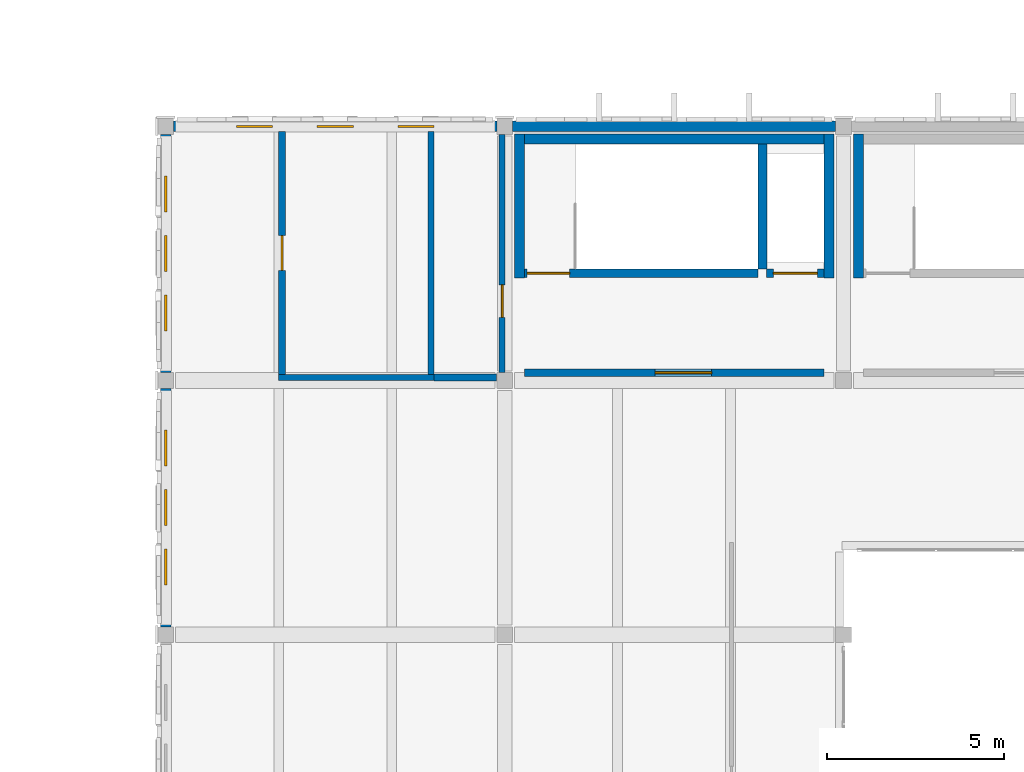
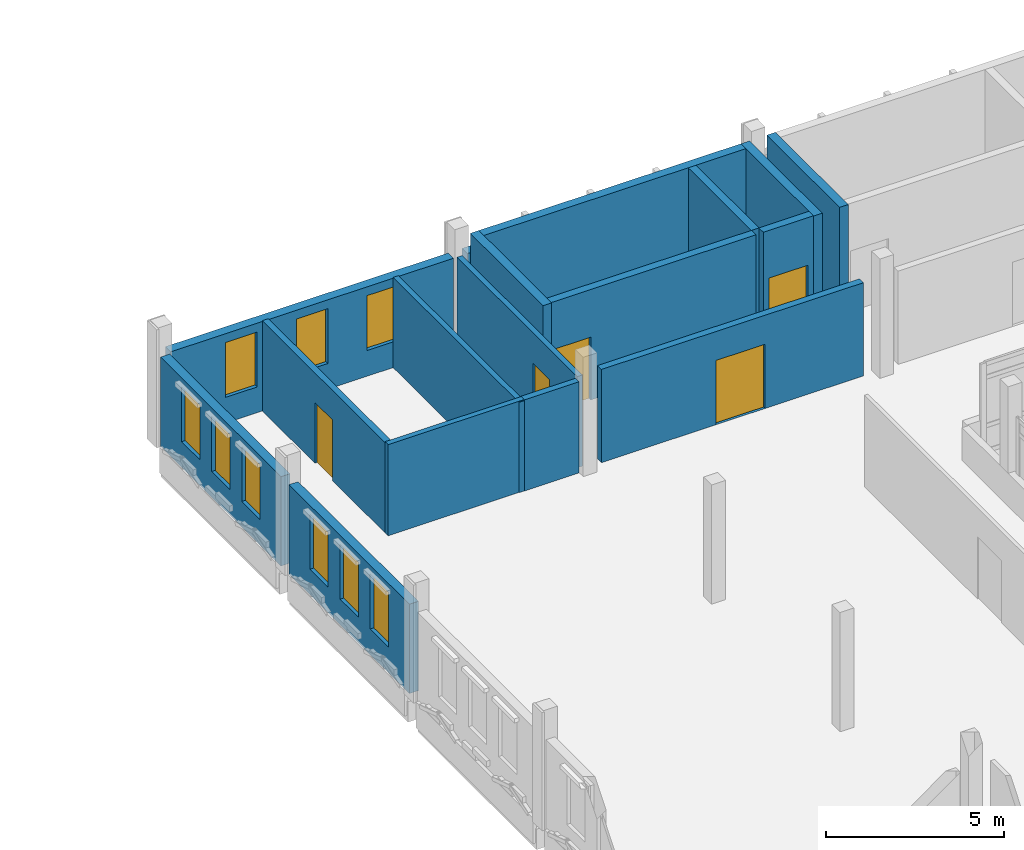
# One storey, part 36 of 50: 17 walls, 9 windows, 5 doors, 14 openings.
"""IFC4 building model written with IfcOpenShell, lengths in metres."""

from ifc_helpers import new_model, si_unit, direction, frame, frame_2d, origin, place, context, subcontext, project, spatial, rectangle, extrude, material, layer, layer_set, type_object, element, fill, save


model = new_model("IFC4")

# Units and contexts
model_context = context("Model", 3, precision=1e-05, world=origin(), true_north=direction((0.0, 1.0)))
body_context = subcontext(model_context, "Body", "Model", "MODEL_VIEW")
ifc_project = project(units=[si_unit("LENGTHUNIT", "METRE"), si_unit("AREAUNIT", "SQUARE_METRE"), si_unit("VOLUMEUNIT", "CUBIC_METRE"), si_unit("PLANEANGLEUNIT", "RADIAN"), si_unit("MASSUNIT", "GRAM", prefix="KILO")], contexts=[model_context])

# Site, building, storey
site_placement = place(None, origin())
site = spatial("IfcSite", under=ifc_project, at=site_placement, CompositionType="ELEMENT")
building_placement = place(site_placement, origin())
building = spatial("IfcBuilding", under=site, at=building_placement, Name="Asteropetra Specialist Clinic", CompositionType="ELEMENT")
storey_placement = place(building_placement, frame((0.0, 0.0, 16.659912109375)))
storey = spatial("IfcBuildingStorey", under=building, at=storey_placement, Name="L04", CompositionType="ELEMENT", Elevation=16.659912109375)

# Wall, openings, windows
ifc_material_1 = material(Name="Chevron sage", Category="masonry")
ifc_layer_1 = layer(ifc_material_1, 0.294921875)
ifc_layer_set_1 = layer_set([ifc_layer_1], Name="Chevron sage")
wall_type_1 = type_object("IfcWallType", Name="EW-CHEV-AEG-295", PredefinedType="SOLIDWALL", material=ifc_layer_set_1)
wall_1_placement = place(storey_placement, frame((114.97509765625, 48.0, 0.0), z_axis=(0.0, 0.0, 1.0), x_axis=(-1.0, 0.0, 0.0)))
wall_1 = element("IfcWall", 1, at=wall_1_placement, inside=storey, type_object=wall_type_1, Name="Exterior Wall EW-0280", PredefinedType="SOLIDWALL", context=body_context, shape_type="SweptSolid", body=[
    extrude(rectangle(XDim=9.150146484375, YDim=0.294921875, at=frame_2d((4.5751953125, 0.0))), origin(), (0.0, 0.0, 1.0), 3.06005859375),
])
opening_1_placement = place(wall_1_placement, frame((1.777587890625, 0.0, 0.8798828125)))
opening_1 = element("IfcOpeningElement", 2, at=opening_1_placement, cuts=wall_1, Name="Opening W-0167", PredefinedType="OPENING", context=body_context, shape_type="SweptSolid", body=[
    extrude(rectangle(XDim=1.02001953125, YDim=1.8798828125, at=frame_2d((0.510009765625, 0.93994140625))), frame((0.0, 0.157470703125, 0.0), z_axis=(0.0, -1.0, 0.0), x_axis=(1.0, 0.0, 0.0)), (0.0, 0.0, 1.0), 0.31494140625),
])
opening_2_placement = place(wall_1_placement, frame((4.06494140625, 0.0, 0.8798828125)))
opening_2 = element("IfcOpeningElement", 3, at=opening_2_placement, cuts=wall_1, Name="Opening W-0168", PredefinedType="OPENING", context=body_context, shape_type="SweptSolid", body=[
    extrude(rectangle(XDim=1.02001953125, YDim=1.8798828125, at=frame_2d((0.510009765625, 0.93994140625))), frame((0.0, 0.157470703125, 0.0), z_axis=(0.0, -1.0, 0.0), x_axis=(1.0, 0.0, 0.0)), (0.0, 0.0, 1.0), 0.31494140625),
])
opening_3_placement = place(wall_1_placement, frame((6.3525390625, 0.0, 0.8798828125)))
opening_3 = element("IfcOpeningElement", 4, at=opening_3_placement, cuts=wall_1, Name="Opening W-0169", PredefinedType="OPENING", context=body_context, shape_type="SweptSolid", body=[
    extrude(rectangle(XDim=1.02001953125, YDim=1.8798828125, at=frame_2d((0.510009765625, 0.93994140625))), frame((0.0, 0.157470703125, 0.0), z_axis=(0.0, -1.0, 0.0), x_axis=(1.0, 0.0, 0.0)), (0.0, 0.0, 1.0), 0.31494140625),
])
ifc_material_2 = material(Name="Thermally broken bronze aluminium and low-E glass", Category="aluminium")
window_type = type_object("IfcWindowType", Name="WIN-T31", PartitioningType="SINGLE_PANEL", PredefinedType="WINDOW", material=ifc_material_2)
window_1_placement = place(opening_1_placement, origin())
window_1 = element("IfcWindow", 5, at=window_1_placement, inside=storey, type_object=window_type, Name="Window W-0167", OverallHeight=1.8798828125, OverallWidth=1.02001953125, PartitioningType="SINGLE_PANEL", PredefinedType="WINDOW", context=body_context, shape_type="SweptSolid", body=[
    extrude(rectangle(XDim=1.02001953125, YDim=1.8798828125, at=frame_2d((0.510009765625, 0.93994140625))), frame((0.0, 0.030029296875, 0.0), z_axis=(0.0, -1.0, 0.0), x_axis=(1.0, 0.0, 0.0)), (0.0, 0.0, 1.0), 0.06005859375),
])
fill(opening_1, window_1)
window_2_placement = place(opening_2_placement, origin())
window_2 = element("IfcWindow", 6, at=window_2_placement, inside=storey, type_object=window_type, Name="Window W-0168", OverallHeight=1.8798828125, OverallWidth=1.02001953125, PartitioningType="SINGLE_PANEL", PredefinedType="WINDOW", context=body_context, shape_type="SweptSolid", body=[
    extrude(rectangle(XDim=1.02001953125, YDim=1.8798828125, at=frame_2d((0.510009765625, 0.93994140625))), frame((0.0, 0.030029296875, 0.0), z_axis=(0.0, -1.0, 0.0), x_axis=(1.0, 0.0, 0.0)), (0.0, 0.0, 1.0), 0.06005859375),
])
fill(opening_2, window_2)
window_3_placement = place(opening_3_placement, origin())
window_3 = element("IfcWindow", 7, at=window_3_placement, inside=storey, type_object=window_type, Name="Window W-0169", OverallHeight=1.8798828125, OverallWidth=1.02001953125, PartitioningType="SINGLE_PANEL", PredefinedType="WINDOW", context=body_context, shape_type="SweptSolid", body=[
    extrude(rectangle(XDim=1.02001953125, YDim=1.8798828125, at=frame_2d((0.510009765625, 0.93994140625))), frame((0.0, 0.030029296875, 0.0), z_axis=(0.0, -1.0, 0.0), x_axis=(1.0, 0.0, 0.0)), (0.0, 0.0, 1.0), 0.06005859375),
])
fill(opening_3, window_3)

# Wall
wall_2_placement = place(storey_placement, frame((124.574951171875, 48.0, 0.0), z_axis=(0.0, 0.0, 1.0), x_axis=(-1.0, 0.0, 0.0)))
element("IfcWall", 8, at=wall_2_placement, inside=storey, type_object=wall_type_1, Name="Exterior Wall EW-0282", PredefinedType="SOLIDWALL", context=body_context, shape_type="SweptSolid", body=[
    extrude(rectangle(XDim=9.14990234375, YDim=0.294921875, at=frame_2d((4.574951171875, 0.0))), origin(), (0.0, 0.0, 1.0), 3.06005859375),
])

# Wall, openings, windows
wall_3_placement = place(storey_placement, frame((105.60009765625, 40.574951171875, 0.0), z_axis=(0.0, 0.0, 1.0), x_axis=(0.0, -1.0, 0.0)))
wall_3 = element("IfcWall", 9, at=wall_3_placement, inside=storey, type_object=wall_type_1, Name="Exterior Wall EW-0293", PredefinedType="SOLIDWALL", context=body_context, shape_type="SweptSolid", body=[
    extrude(rectangle(XDim=6.75, YDim=0.294921875, at=frame_2d((3.375, 0.0))), origin(), (0.0, 0.0, 1.0), 3.06005859375),
])
opening_4_placement = place(wall_3_placement, frame((1.177490234375, 0.0, 0.8798828125)))
opening_4 = element("IfcOpeningElement", 10, at=opening_4_placement, cuts=wall_3, Name="Opening W-0193", PredefinedType="OPENING", context=body_context, shape_type="SweptSolid", body=[
    extrude(rectangle(XDim=1.02001953125, YDim=1.8798828125, at=frame_2d((0.510009765625, 0.93994140625))), frame((0.0, 0.157470703125, 0.0), z_axis=(0.0, -1.0, 0.0), x_axis=(1.0, 0.0, 0.0)), (0.0, 0.0, 1.0), 0.31494140625),
])
opening_5_placement = place(wall_3_placement, frame((2.864990234375, 0.0, 0.8798828125)))
opening_5 = element("IfcOpeningElement", 11, at=opening_5_placement, cuts=wall_3, Name="Opening W-0194", PredefinedType="OPENING", context=body_context, shape_type="SweptSolid", body=[
    extrude(rectangle(XDim=1.02001953125, YDim=1.8798828125, at=frame_2d((0.510009765625, 0.93994140625))), frame((0.0, 0.157470703125, 0.0), z_axis=(0.0, -1.0, 0.0), x_axis=(1.0, 0.0, 0.0)), (0.0, 0.0, 1.0), 0.31494140625),
])
opening_6_placement = place(wall_3_placement, frame((4.552490234375, 0.0, 0.8798828125)))
opening_6 = element("IfcOpeningElement", 12, at=opening_6_placement, cuts=wall_3, Name="Opening W-0195", PredefinedType="OPENING", context=body_context, shape_type="SweptSolid", body=[
    extrude(rectangle(XDim=1.02001953125, YDim=1.8798828125, at=frame_2d((0.510009765625, 0.93994140625))), frame((0.0, 0.157470703125, 0.0), z_axis=(0.0, -1.0, 0.0), x_axis=(1.0, 0.0, 0.0)), (0.0, 0.0, 1.0), 0.31494140625),
])
window_4_placement = place(opening_4_placement, origin())
window_4 = element("IfcWindow", 13, at=window_4_placement, inside=storey, type_object=window_type, Name="Window W-0193", OverallHeight=1.8798828125, OverallWidth=1.02001953125, PartitioningType="SINGLE_PANEL", PredefinedType="WINDOW", context=body_context, shape_type="SweptSolid", body=[
    extrude(rectangle(XDim=1.02001953125, YDim=1.8798828125, at=frame_2d((0.510009765625, 0.93994140625))), frame((0.0, 0.030029296875, 0.0), z_axis=(0.0, -1.0, 0.0), x_axis=(1.0, 0.0, 0.0)), (0.0, 0.0, 1.0), 0.06005859375),
])
fill(opening_4, window_4)
window_5_placement = place(opening_5_placement, origin())
window_5 = element("IfcWindow", 14, at=window_5_placement, inside=storey, type_object=window_type, Name="Window W-0194", OverallHeight=1.8798828125, OverallWidth=1.02001953125, PartitioningType="SINGLE_PANEL", PredefinedType="WINDOW", context=body_context, shape_type="SweptSolid", body=[
    extrude(rectangle(XDim=1.02001953125, YDim=1.8798828125, at=frame_2d((0.510009765625, 0.93994140625))), frame((0.0, 0.030029296875, 0.0), z_axis=(0.0, -1.0, 0.0), x_axis=(1.0, 0.0, 0.0)), (0.0, 0.0, 1.0), 0.06005859375),
])
fill(opening_5, window_5)
window_6_placement = place(opening_6_placement, origin())
window_6 = element("IfcWindow", 15, at=window_6_placement, inside=storey, type_object=window_type, Name="Window W-0195", OverallHeight=1.8798828125, OverallWidth=1.02001953125, PartitioningType="SINGLE_PANEL", PredefinedType="WINDOW", context=body_context, shape_type="SweptSolid", body=[
    extrude(rectangle(XDim=1.02001953125, YDim=1.8798828125, at=frame_2d((0.510009765625, 0.93994140625))), frame((0.0, 0.030029296875, 0.0), z_axis=(0.0, -1.0, 0.0), x_axis=(1.0, 0.0, 0.0)), (0.0, 0.0, 1.0), 0.06005859375),
])
fill(opening_6, window_6)

wall_4_placement = place(storey_placement, frame((105.60009765625, 47.77490234375, 0.0), z_axis=(0.0, 0.0, 1.0), x_axis=(0.0, -1.0, 0.0)))
wall_4 = element("IfcWall", 16, at=wall_4_placement, inside=storey, type_object=wall_type_1, Name="Exterior Wall EW-0294", PredefinedType="SOLIDWALL", context=body_context, shape_type="SweptSolid", body=[
    extrude(rectangle(XDim=6.75, YDim=0.294921875, at=frame_2d((3.375, 0.0))), origin(), (0.0, 0.0, 1.0), 3.06005859375),
])
opening_7_placement = place(wall_4_placement, frame((1.177490234375, 0.0, 0.8798828125)))
opening_7 = element("IfcOpeningElement", 17, at=opening_7_placement, cuts=wall_4, Name="Opening W-0196", PredefinedType="OPENING", context=body_context, shape_type="SweptSolid", body=[
    extrude(rectangle(XDim=1.02001953125, YDim=1.8798828125, at=frame_2d((0.510009765625, 0.93994140625))), frame((0.0, 0.157470703125, 0.0), z_axis=(0.0, -1.0, 0.0), x_axis=(1.0, 0.0, 0.0)), (0.0, 0.0, 1.0), 0.31494140625),
])
opening_8_placement = place(wall_4_placement, frame((2.864990234375, 0.0, 0.8798828125)))
opening_8 = element("IfcOpeningElement", 18, at=opening_8_placement, cuts=wall_4, Name="Opening W-0197", PredefinedType="OPENING", context=body_context, shape_type="SweptSolid", body=[
    extrude(rectangle(XDim=1.02001953125, YDim=1.8798828125, at=frame_2d((0.510009765625, 0.93994140625))), frame((0.0, 0.157470703125, 0.0), z_axis=(0.0, -1.0, 0.0), x_axis=(1.0, 0.0, 0.0)), (0.0, 0.0, 1.0), 0.31494140625),
])
opening_9_placement = place(wall_4_placement, frame((4.552490234375, 0.0, 0.8798828125)))
opening_9 = element("IfcOpeningElement", 19, at=opening_9_placement, cuts=wall_4, Name="Opening W-0198", PredefinedType="OPENING", context=body_context, shape_type="SweptSolid", body=[
    extrude(rectangle(XDim=1.02001953125, YDim=1.8798828125, at=frame_2d((0.510009765625, 0.93994140625))), frame((0.0, 0.157470703125, 0.0), z_axis=(0.0, -1.0, 0.0), x_axis=(1.0, 0.0, 0.0)), (0.0, 0.0, 1.0), 0.31494140625),
])
window_7_placement = place(opening_7_placement, origin())
window_7 = element("IfcWindow", 20, at=window_7_placement, inside=storey, type_object=window_type, Name="Window W-0196", OverallHeight=1.8798828125, OverallWidth=1.02001953125, PartitioningType="SINGLE_PANEL", PredefinedType="WINDOW", context=body_context, shape_type="SweptSolid", body=[
    extrude(rectangle(XDim=1.02001953125, YDim=1.8798828125, at=frame_2d((0.510009765625, 0.93994140625))), frame((0.0, 0.030029296875, 0.0), z_axis=(0.0, -1.0, 0.0), x_axis=(1.0, 0.0, 0.0)), (0.0, 0.0, 1.0), 0.06005859375),
])
fill(opening_7, window_7)
window_8_placement = place(opening_8_placement, origin())
window_8 = element("IfcWindow", 21, at=window_8_placement, inside=storey, type_object=window_type, Name="Window W-0197", OverallHeight=1.8798828125, OverallWidth=1.02001953125, PartitioningType="SINGLE_PANEL", PredefinedType="WINDOW", context=body_context, shape_type="SweptSolid", body=[
    extrude(rectangle(XDim=1.02001953125, YDim=1.8798828125, at=frame_2d((0.510009765625, 0.93994140625))), frame((0.0, 0.030029296875, 0.0), z_axis=(0.0, -1.0, 0.0), x_axis=(1.0, 0.0, 0.0)), (0.0, 0.0, 1.0), 0.06005859375),
])
fill(opening_8, window_8)
window_9_placement = place(opening_9_placement, origin())
window_9 = element("IfcWindow", 22, at=window_9_placement, inside=storey, type_object=window_type, Name="Window W-0198", OverallHeight=1.8798828125, OverallWidth=1.02001953125, PartitioningType="SINGLE_PANEL", PredefinedType="WINDOW", context=body_context, shape_type="SweptSolid", body=[
    extrude(rectangle(XDim=1.02001953125, YDim=1.8798828125, at=frame_2d((0.510009765625, 0.93994140625))), frame((0.0, 0.030029296875, 0.0), z_axis=(0.0, -1.0, 0.0), x_axis=(1.0, 0.0, 0.0)), (0.0, 0.0, 1.0), 0.06005859375),
])
fill(opening_9, window_9)

# Wall, opening, door
ifc_material_3 = material(Name="Fire-rated masonry and gypsum", Category="masonry")
ifc_layer_2 = layer(ifc_material_3, 0.219970703125)
ifc_layer_set_2 = layer_set([ifc_layer_2], Name="Fire-rated masonry and gypsum")
wall_type_2 = type_object("IfcWallType", Name="W-COMP-220", PredefinedType="PARTITIONING", material=ifc_layer_set_2)
wall_5_placement = place(storey_placement, frame((115.760009765625, 41.02001953125, 0.0), z_axis=(0.0, 0.0, 1.0), x_axis=(1.0, 0.0, 0.0)))
wall_5 = element("IfcWall", 23, at=wall_5_placement, inside=storey, type_object=wall_type_2, Name="Core Wall CW-C10-L04-LOB", PredefinedType="PARTITIONING", context=body_context, shape_type="SweptSolid", body=[
    extrude(rectangle(XDim=8.47998046875, YDim=0.219970703125, at=frame_2d((4.239990234375, 0.0))), origin(), (0.0, 0.0, 1.0), 3.190185546875),
])
opening_10_placement = place(wall_5_placement, frame((3.699951171875, 0.0, 0.0)))
opening_10 = element("IfcOpeningElement", 24, at=opening_10_placement, cuts=wall_5, Name="Opening FD-094", PredefinedType="OPENING", context=body_context, shape_type="SweptSolid", body=[
    extrude(rectangle(XDim=1.60009765625, YDim=2.199951171875, at=frame_2d((0.800048828125, 1.10009765625))), frame((0.0, 0.119873046875, 0.0), z_axis=(0.0, -1.0, 0.0), x_axis=(1.0, 0.0, 0.0)), (0.0, 0.0, 1.0), 0.239990234375),
])
ifc_material_4 = material(Name="Fire-rated steel and vision glass door", Category="steel")
door_type_1 = type_object("IfcDoorType", Name="FD-LOBBY-1600", OperationType="DOUBLE_DOOR_SINGLE_SWING", PredefinedType="DOOR", material=ifc_material_4)
door_1_placement = place(opening_10_placement, origin())
door_1 = element("IfcDoor", 25, at=door_1_placement, inside=storey, type_object=door_type_1, Name="Lobby Fire Door FD-094", OperationType="DOUBLE_DOOR_SINGLE_SWING", OverallHeight=2.199951171875, OverallWidth=1.60009765625, PredefinedType="DOOR", context=body_context, shape_type="SweptSolid", body=[
    extrude(rectangle(XDim=1.60009765625, YDim=2.199951171875, at=frame_2d((0.800048828125, 1.10009765625))), frame((0.0, 0.02490234375, 0.0), z_axis=(0.0, -1.0, 0.0), x_axis=(1.0, 0.0, 0.0)), (0.0, 0.0, 1.0), 0.050048828125),
])
fill(opening_10, door_1)

# Walls
ifc_material_5 = material(Name="Concrete C35/45", Category="concrete")
ifc_layer_3 = layer(ifc_material_5, 0.280029296875)
ifc_layer_set_3 = layer_set([ifc_layer_3], Name="Concrete C35/45")
wall_type_3 = type_object("IfcWallType", Name="W-CORE-280", PredefinedType="SHEAR", material=ifc_layer_set_3)
for number, where, z_axis, x_axis, name in (
    (26, (125.219970703125, 43.699951171875, 0.0), (0.0, 0.0, 1.0), (0.0, 1.0, 0.0), "Core Wall CW-C9-L04-W"),
    (27, (115.6201171875, 43.699951171875, 0.0), (0.0, 0.0, 1.0), (0.0, 1.0, 0.0), "Core Wall CW-C10-L04-W"),
    (28, (124.3798828125, 43.699951171875, 0.0), (0.0, 0.0, 1.0), (0.0, 1.0, 0.0), "Core Wall CW-C10-L04-E"),
):
    element("IfcWall", number, at=place(storey_placement, frame(where, z_axis=z_axis, x_axis=x_axis)), inside=storey, type_object=wall_type_3, Name=name, PredefinedType="SHEAR", context=body_context, shape_type="SweptSolid", body=[
        extrude(rectangle(XDim=4.080078125, YDim=0.280029296875, at=frame_2d((2.0400390625, 0.0))), origin(), (0.0, 0.0, 1.0), 3.780029296875),
    ])
wall_6_placement = place(storey_placement, frame((115.7548828125, 47.639892578125, 0.0), z_axis=(0.0, 0.0, 1.0), x_axis=(1.0, 0.0, 0.0)))
element("IfcWall", 29, at=wall_6_placement, inside=storey, type_object=wall_type_3, Name="Core Wall CW-C10-L04-BACK", PredefinedType="SHEAR", context=body_context, shape_type="SweptSolid", body=[
    extrude(rectangle(XDim=8.490234375, YDim=0.280029296875, at=frame_2d((4.2451171875, 0.0))), origin(), (0.0, 0.0, 1.0), 3.780029296875),
])
ifc_material_6 = material(Name="En-suite plumbing wall", Category="masonry")
ifc_layer_4 = layer(ifc_material_6, 0.169921875)
ifc_layer_set_4 = layer_set([ifc_layer_4], Name="En-suite plumbing wall")
wall_type_4 = type_object("IfcWallType", Name="W-PLUMB-170", PredefinedType="PLUMBINGWALL", material=ifc_layer_set_4)
wall_7_placement = place(storey_placement, frame((108.794921875, 40.889892578125, 0.0), z_axis=(0.0, 0.0, 1.0), x_axis=(1.0, 0.0, 0.0)))
element("IfcWall", 30, at=wall_7_placement, inside=storey, type_object=wall_type_4, Name="Interior Partition PW-0165", PredefinedType="PLUMBINGWALL", context=body_context, shape_type="SweptSolid", body=[
    extrude(rectangle(XDim=4.41015625, YDim=0.169921875, at=frame_2d((2.205078125, 0.0))), origin(), (0.0, 0.0, 1.0), 3.1201171875),
])
wall_8_placement = place(storey_placement, frame((113.110107421875, 40.794921875, 0.0), z_axis=(0.0, 0.0, 1.0), x_axis=(0.0, 1.0, 0.0)))
element("IfcWall", 31, at=wall_8_placement, inside=storey, type_object=wall_type_4, Name="Interior Partition PW-0167", PredefinedType="PLUMBINGWALL", context=body_context, shape_type="SweptSolid", body=[
    extrude(rectangle(XDim=7.0556640625, YDim=0.169921875, at=frame_2d((3.52783203125, 0.0))), origin(), (0.0, 0.0, 1.0), 3.090087890625),
])

# Wall, opening, door
wall_9_placement = place(storey_placement, frame((115.1298828125, 41.030029296875, 0.0), z_axis=(0.0, 0.0, 1.0), x_axis=(0.0, 1.0, 0.0)))
wall_9 = element("IfcWall", 32, at=wall_9_placement, inside=storey, type_object=wall_type_4, Name="Interior Partition PW-0169", PredefinedType="PLUMBINGWALL", context=body_context, shape_type="SweptSolid", body=[
    extrude(rectangle(XDim=6.739990234375, YDim=0.169921875, at=frame_2d((3.3701171875, 0.0))), origin(), (0.0, 0.0, 1.0), 3.1201171875),
])
opening_11_placement = place(wall_9_placement, frame((1.56201171875, 0.0, 0.0)))
opening_11 = element("IfcOpeningElement", 33, at=opening_11_placement, cuts=wall_9, Name="Opening ID-0109", PredefinedType="OPENING", context=body_context, shape_type="SweptSolid", body=[
    extrude(rectangle(XDim=0.919921875, YDim=2.080078125, at=frame_2d((0.4599609375, 1.0400390625))), frame((0.0, 0.094970703125, 0.0), z_axis=(0.0, -1.0, 0.0), x_axis=(1.0, 0.0, 0.0)), (0.0, 0.0, 1.0), 0.18994140625),
])
ifc_material_7 = material(Name="Antimicrobial laminate timber leaf in steel frame", Category="steel")
door_type_2 = type_object("IfcDoorType", Name="ID-WC-0920", OperationType="NOTDEFINED", PredefinedType="DOOR", material=ifc_material_7)
door_2_placement = place(opening_11_placement, origin())
door_2 = element("IfcDoor", 34, at=door_2_placement, inside=storey, type_object=door_type_2, Name="Interior Door ID-0109", OperationType="SINGLE_SWING_LEFT", OverallHeight=2.080078125, OverallWidth=0.919921875, PredefinedType="DOOR", context=body_context, shape_type="SweptSolid", body=[
    extrude(rectangle(XDim=0.919921875, YDim=2.080078125, at=frame_2d((0.4599609375, 1.0400390625))), frame((0.0, 0.02490234375, 0.0), z_axis=(0.0, -1.0, 0.0), x_axis=(1.0, 0.0, 0.0)), (0.0, 0.0, 1.0), 0.050048828125),
])
fill(opening_11, door_2)

ifc_material_8 = material(Name="Sanitary service-chase wall", Category="masonry")
ifc_layer_5 = layer(ifc_material_8, 0.199951171875)
ifc_layer_set_5 = layer_set([ifc_layer_5], Name="Sanitary service-chase wall")
wall_type_5 = type_object("IfcWallType", Name="W-PLUMB-200", PredefinedType="PLUMBINGWALL", material=ifc_layer_set_5)
wall_10_placement = place(storey_placement, frame((108.889892578125, 40.97705078125, 0.0), z_axis=(0.0, 0.0, 1.0), x_axis=(0.0, 1.0, 0.0)))
wall_10 = element("IfcWall", 35, at=wall_10_placement, inside=storey, type_object=wall_type_5, Name="Interior Partition PW-0166", PredefinedType="PLUMBINGWALL", context=body_context, shape_type="SweptSolid", body=[
    extrude(rectangle(XDim=6.87353515625, YDim=0.199951171875, at=frame_2d((3.436767578125, 0.0))), origin(), (0.0, 0.0, 1.0), 3.090087890625),
])
opening_12_placement = place(wall_10_placement, frame((2.94677734375, 0.0, 0.0)))
opening_12 = element("IfcOpeningElement", 36, at=opening_12_placement, cuts=wall_10, Name="Opening ID-0108", PredefinedType="OPENING", context=body_context, shape_type="SweptSolid", body=[
    extrude(rectangle(XDim=0.97998046875, YDim=2.080078125, at=frame_2d((0.489990234375, 1.0400390625))), frame((0.0, 0.10986328125, 0.0), z_axis=(0.0, -1.0, 0.0), x_axis=(1.0, 0.0, 0.0)), (0.0, 0.0, 1.0), 0.219970703125),
])
ifc_material_9 = material(Name="Antimicrobial laminate timber leaf in steel frame", Category="steel")
door_type_3 = type_object("IfcDoorType", Name="ID-AWC-0980", OperationType="NOTDEFINED", PredefinedType="DOOR", material=ifc_material_9)
door_3_placement = place(opening_12_placement, origin())
door_3 = element("IfcDoor", 37, at=door_3_placement, inside=storey, type_object=door_type_3, Name="Interior Door ID-0108", OperationType="SINGLE_SWING_RIGHT", OverallHeight=2.080078125, OverallWidth=0.97998046875, PredefinedType="DOOR", context=body_context, shape_type="SweptSolid", body=[
    extrude(rectangle(XDim=0.97998046875, YDim=2.080078125, at=frame_2d((0.489990234375, 1.0400390625))), frame((0.0, 0.02490234375, 0.0), z_axis=(0.0, -1.0, 0.0), x_axis=(1.0, 0.0, 0.0)), (0.0, 0.0, 1.0), 0.050048828125),
])
fill(opening_12, door_3)

# Walls
wall_11_placement = place(storey_placement, frame((113.197021484375, 40.889892578125, 0.0), z_axis=(0.0, 0.0, 1.0), x_axis=(1.0, 0.0, 0.0)))
element("IfcWall", 38, at=wall_11_placement, inside=storey, type_object=wall_type_5, Name="Interior Partition PW-0168", PredefinedType="PLUMBINGWALL", context=body_context, shape_type="SweptSolid", body=[
    extrude(rectangle(XDim=1.77294921875, YDim=0.199951171875, at=frame_2d((0.886474609375, 0.0))), origin(), (0.0, 0.0, 1.0), 3.1201171875),
])
ifc_material_10 = material(Name="Concrete C35/45", Category="concrete")
ifc_layer_6 = layer(ifc_material_10, 0.25)
ifc_layer_set_6 = layer_set([ifc_layer_6], Name="Concrete C35/45")
wall_type_6 = type_object("IfcWallType", Name="W-SHAFT-250", PredefinedType="SHEAR", material=ifc_layer_set_6)
wall_12_placement = place(storey_placement, frame((122.5, 43.9599609375, 0.0), z_axis=(0.0, 0.0, 1.0), x_axis=(0.0, 1.0, 0.0)))
element("IfcWall", 39, at=wall_12_placement, inside=storey, type_object=wall_type_6, Name="Core Wall CW-C10-L04-MID", PredefinedType="SHEAR", context=body_context, shape_type="SweptSolid", body=[
    extrude(rectangle(XDim=3.5400390625, YDim=0.25, at=frame_2d((1.77001953125, 0.0))), origin(), (0.0, 0.0, 1.0), 3.780029296875),
])

# Wall, opening, door
wall_13_placement = place(storey_placement, frame((115.7548828125, 43.840087890625, 0.0), z_axis=(0.0, 0.0, 1.0), x_axis=(1.0, 0.0, 0.0)))
wall_13 = element("IfcWall", 40, at=wall_13_placement, inside=storey, type_object=wall_type_6, Name="Core Wall CW-C10-L04-STDIV", PredefinedType="SHEAR", context=body_context, shape_type="SweptSolid", body=[
    extrude(rectangle(XDim=6.625, YDim=0.25, at=frame_2d((3.3125, 0.0))), origin(), (0.0, 0.0, 1.0), 3.780029296875),
])
opening_13_placement = place(wall_13_placement, frame((0.080078125, 0.0, 0.0)))
opening_13 = element("IfcOpeningElement", 41, at=opening_13_placement, cuts=wall_13, Name="Opening FD-093", PredefinedType="OPENING", context=body_context, shape_type="SweptSolid", body=[
    extrude(rectangle(XDim=1.199951171875, YDim=2.14990234375, at=frame_2d((0.60009765625, 1.074951171875))), frame((0.0, 0.135009765625, 0.0), z_axis=(0.0, -1.0, 0.0), x_axis=(1.0, 0.0, 0.0)), (0.0, 0.0, 1.0), 0.27001953125),
])
ifc_material_11 = material(Name="Fire-rated steel and vision glass door", Category="steel")
door_type_4 = type_object("IfcDoorType", Name="FD-STAIR-1350", OperationType="DOUBLE_DOOR_SINGLE_SWING", PredefinedType="DOOR", material=ifc_material_11)
door_4_placement = place(opening_13_placement, origin())
door_4 = element("IfcDoor", 42, at=door_4_placement, inside=storey, type_object=door_type_4, Name="Stair Fire Door FD-093", OperationType="DOUBLE_DOOR_SINGLE_SWING", OverallHeight=2.14990234375, OverallWidth=1.199951171875, PredefinedType="DOOR", context=body_context, shape_type="SweptSolid", body=[
    extrude(rectangle(XDim=1.199951171875, YDim=2.14990234375, at=frame_2d((0.60009765625, 1.074951171875))), frame((0.0, 0.02490234375, 0.0), z_axis=(0.0, -1.0, 0.0), x_axis=(1.0, 0.0, 0.0)), (0.0, 0.0, 1.0), 0.050048828125),
])
fill(opening_13, door_4)

wall_14_placement = place(storey_placement, frame((122.6201171875, 43.840087890625, 0.0), z_axis=(0.0, 0.0, 1.0), x_axis=(1.0, 0.0, 0.0)))
wall_14 = element("IfcWall", 43, at=wall_14_placement, inside=storey, type_object=wall_type_6, Name="Lift Shaft Front Wall CW-C10-L04-LFTF", PredefinedType="SHEAR", context=body_context, shape_type="SweptSolid", body=[
    extrude(rectangle(XDim=1.625, YDim=0.25, at=frame_2d((0.8125, 0.0))), origin(), (0.0, 0.0, 1.0), 3.780029296875),
])
opening_14_placement = place(wall_14_placement, frame((0.1875, 0.0, 0.0)))
opening_14 = element("IfcOpeningElement", 44, at=opening_14_placement, cuts=wall_14, Name="Opening LD-047", PredefinedType="OPENING", context=body_context, shape_type="SweptSolid", body=[
    extrude(rectangle(XDim=1.25, YDim=2.14990234375, at=frame_2d((0.625, 1.074951171875))), frame((0.0, 0.135009765625, 0.0), z_axis=(0.0, -1.0, 0.0), x_axis=(1.0, 0.0, 0.0)), (0.0, 0.0, 1.0), 0.27001953125),
])
ifc_material_12 = material(Name="Brushed stainless steel sliding lift landing door", Category="steel")
door_type_5 = type_object("IfcDoorType", Name="LD-SERV-1250", OperationType="DOUBLE_DOOR_SLIDING", PredefinedType="DOOR", material=ifc_material_12)
door_5_placement = place(opening_14_placement, origin())
door_5 = element("IfcDoor", 45, at=door_5_placement, inside=storey, type_object=door_type_5, Name="Lift Landing Door LD-047", OperationType="DOUBLE_DOOR_SLIDING", OverallHeight=2.14990234375, OverallWidth=1.25, PredefinedType="DOOR", context=body_context, shape_type="SweptSolid", body=[
    extrude(rectangle(XDim=1.25, YDim=2.14990234375, at=frame_2d((0.625, 1.074951171875))), frame((0.0, 0.02490234375, 0.0), z_axis=(0.0, -1.0, 0.0), x_axis=(1.0, 0.0, 0.0)), (0.0, 0.0, 1.0), 0.050048828125),
])
fill(opening_14, door_5)

save(model, "model.ifc")
